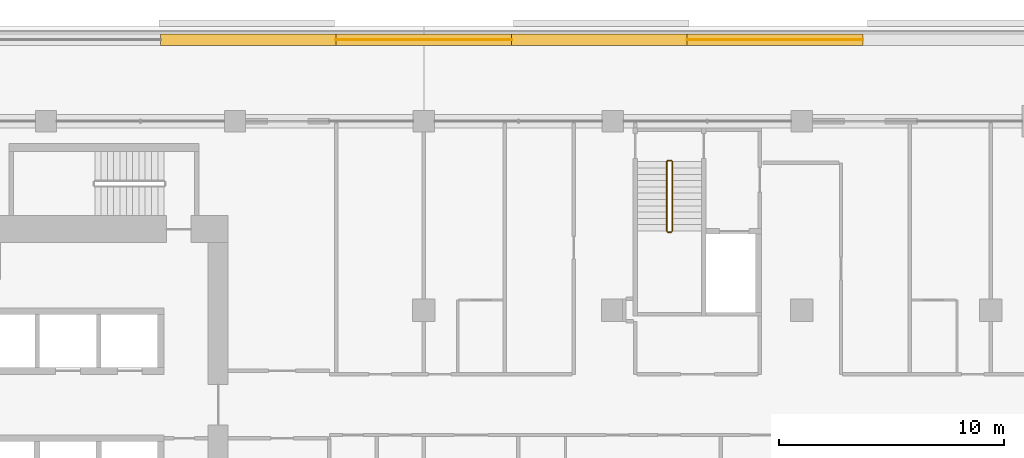
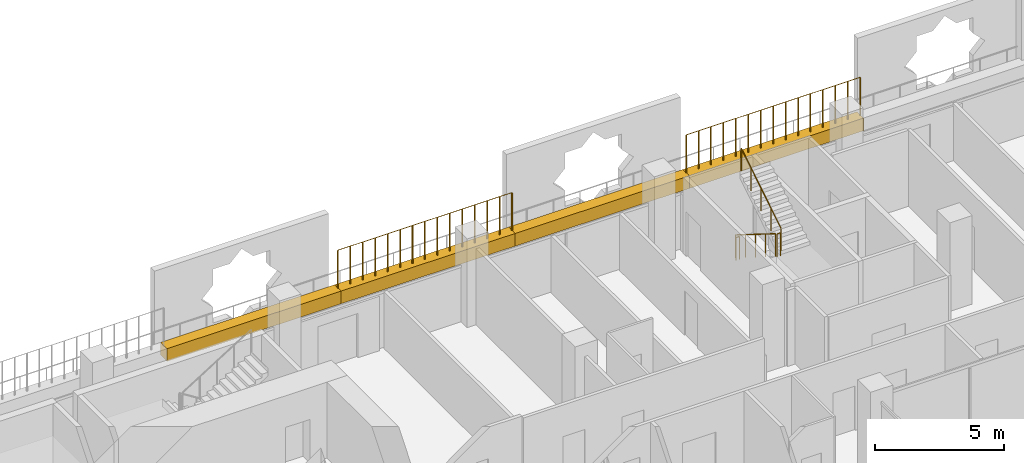
# One storey, part 23 of 24: 6 railings, 4 coverings.
"""IFC4 building model written with IfcOpenShell, lengths in metres."""

from ifc_helpers import new_model, si_unit, direction, frame, origin, origin_2d, place, context, subcontext, project, spatial, rectangle, circle, extrude, material, material_profile, profile_set, type_object, element, save


model = new_model("IFC4")

# Units and contexts
model_context = context("Model", 3, precision=1e-05, world=origin(), true_north=direction((0.0, 1.0)))
body_context = subcontext(model_context, "Body", "Model", "MODEL_VIEW")
ifc_project = project(units=[si_unit("LENGTHUNIT", "METRE"), si_unit("AREAUNIT", "SQUARE_METRE"), si_unit("VOLUMEUNIT", "CUBIC_METRE"), si_unit("PLANEANGLEUNIT", "RADIAN"), si_unit("MASSUNIT", "GRAM", prefix="KILO")], contexts=[model_context])

# Site, building, storey
site_placement = place(None, origin())
site = spatial("IfcSite", under=ifc_project, at=site_placement, CompositionType="ELEMENT")
building_placement = place(site_placement, origin())
building = spatial("IfcBuilding", under=site, at=building_placement, Name="Kawkab Arch Medical Tower", CompositionType="ELEMENT")
storey_placement = place(building_placement, frame((0.0, 0.0, 162.60009765625)))
storey = spatial("IfcBuildingStorey", under=building, at=storey_placement, Name="L37", CompositionType="ELEMENT", Elevation=162.60009765625)

# Coverings
ifc_material_1 = material(Name="Planting soil in a precast trough", Category="concrete")
ifc_material_profile = material_profile(ifc_material_1, rectangle(XDim=0.5, YDim=0.60009765625, at=origin_2d()), Name="Trough 500x600")
ifc_profile_set = profile_set([ifc_material_profile], Name="Planting soil in a precast trough")
covering_type = type_object("IfcCoveringType", Name="Planter trough 500 x 600", PredefinedType="USERDEFINED", material=ifc_profile_set)
covering_1_placement = place(storey_placement, frame((21.89306640625, 3.6201171875, 0.2998046875), z_axis=(1.0, 0.0, 0.0), x_axis=(0.0, 1.0, 0.0)))
element("IfcCovering", 1, at=covering_1_placement, inside=storey, type_object=covering_type, Name="Planter L37.LOG-01-02.22", ObjectType="PLANTER", PredefinedType="USERDEFINED", context=body_context, shape_type="SweptSolid", body=[
    extrude(rectangle(XDim=0.5, YDim=0.60009765625, at=origin_2d()), origin(), (0.0, 0.0, 1.0), 7.804931640625),
])
covering_2_placement = place(storey_placement, frame((29.697998046875, 3.6201171875, 0.2998046875), z_axis=(1.0, 0.0, 0.0), x_axis=(0.0, 1.0, 0.0)))
element("IfcCovering", 2, at=covering_2_placement, inside=storey, type_object=covering_type, Name="Planter L37.LOG-01-02.23", ObjectType="PLANTER", PredefinedType="USERDEFINED", context=body_context, shape_type="SweptSolid", body=[
    extrude(rectangle(XDim=0.5, YDim=0.60009765625, at=origin_2d()), origin(), (0.0, 0.0, 1.0), 7.803955078125),
])
covering_3_placement = place(storey_placement, frame((37.501953125, 3.6201171875, 0.2998046875), z_axis=(1.0, 0.0, 0.0), x_axis=(0.0, 1.0, 0.0)))
element("IfcCovering", 3, at=covering_3_placement, inside=storey, type_object=covering_type, Name="Planter L37.LOG-01-02.24", ObjectType="PLANTER", PredefinedType="USERDEFINED", context=body_context, shape_type="SweptSolid", body=[
    extrude(rectangle(XDim=0.5, YDim=0.60009765625, at=origin_2d()), origin(), (0.0, 0.0, 1.0), 7.804931640625),
])
covering_4_placement = place(storey_placement, frame((45.306884765625, 3.6201171875, 0.2998046875), z_axis=(1.0, 0.0, 0.0), x_axis=(0.0, 1.0, 0.0)))
element("IfcCovering", 4, at=covering_4_placement, inside=storey, type_object=covering_type, Name="Planter L37.LOG-01-02.25", ObjectType="PLANTER", PredefinedType="USERDEFINED", context=body_context, shape_type="SweptSolid", body=[
    extrude(rectangle(XDim=0.5, YDim=0.60009765625, at=origin_2d()), origin(), (0.0, 0.0, 1.0), 7.80517578125),
])

# Railings
ifc_material_2 = material(Name="Bronze anodised aluminium trellis for climbing plants", Category="aluminium")
railing_type_1 = type_object("IfcRailingType", Name="Planting trellis 2400", PredefinedType="USERDEFINED", material=ifc_material_2)
railing_1_placement = place(storey_placement, frame((29.697998046875, 3.6201171875, 0.0)))
element("IfcRailing", 5, at=railing_1_placement, inside=storey, type_object=railing_type_1, Name="Planting trellis L37.LOG-01-02.23", ObjectType="TRELLIS", PredefinedType="USERDEFINED", context=body_context, shape_type="SweptSolid", body=[
    extrude(circle(Radius=0.01513671875, at=origin_2d()), frame((0.0, 0.0, 2.384765625), z_axis=(1.0, 0.0, 0.0), x_axis=(0.0, 1.0, 0.0)), (0.0, 0.0, 1.0), 7.803955078125),
    extrude(circle(Radius=0.030029296875, at=origin_2d()), origin(), (0.0, 0.0, 1.0), 2.369873046875),
    extrude(circle(Radius=0.030029296875, at=origin_2d()), frame((0.557373046875, 0.0, 0.0)), (0.0, 0.0, 1.0), 2.369873046875),
    extrude(circle(Radius=0.030029296875, at=origin_2d()), frame((1.11474609375, 0.0, 0.0)), (0.0, 0.0, 1.0), 2.369873046875),
    extrude(circle(Radius=0.030029296875, at=origin_2d()), frame((1.67236328125, 0.0, 0.0)), (0.0, 0.0, 1.0), 2.369873046875),
    extrude(circle(Radius=0.030029296875, at=origin_2d()), frame((2.229736328125, 0.0, 0.0)), (0.0, 0.0, 1.0), 2.369873046875),
    extrude(circle(Radius=0.030029296875, at=origin_2d()), frame((2.787109375, 0.0, 0.0)), (0.0, 0.0, 1.0), 2.369873046875),
    extrude(circle(Radius=0.030029296875, at=origin_2d()), frame((3.344482421875, 0.0, 0.0)), (0.0, 0.0, 1.0), 2.369873046875),
    extrude(circle(Radius=0.030029296875, at=origin_2d()), frame((3.90185546875, 0.0, 0.0)), (0.0, 0.0, 1.0), 2.369873046875),
    extrude(circle(Radius=0.030029296875, at=origin_2d()), frame((4.45947265625, 0.0, 0.0)), (0.0, 0.0, 1.0), 2.369873046875),
    extrude(circle(Radius=0.030029296875, at=origin_2d()), frame((5.016845703125, 0.0, 0.0)), (0.0, 0.0, 1.0), 2.369873046875),
    extrude(circle(Radius=0.030029296875, at=origin_2d()), frame((5.57421875, 0.0, 0.0)), (0.0, 0.0, 1.0), 2.369873046875),
    extrude(circle(Radius=0.030029296875, at=origin_2d()), frame((6.131591796875, 0.0, 0.0)), (0.0, 0.0, 1.0), 2.369873046875),
    extrude(circle(Radius=0.030029296875, at=origin_2d()), frame((6.689208984375, 0.0, 0.0)), (0.0, 0.0, 1.0), 2.369873046875),
    extrude(circle(Radius=0.030029296875, at=origin_2d()), frame((7.24658203125, 0.0, 0.0)), (0.0, 0.0, 1.0), 2.369873046875),
    extrude(circle(Radius=0.030029296875, at=origin_2d()), frame((7.803955078125, 0.0, 0.0)), (0.0, 0.0, 1.0), 2.369873046875),
])
railing_2_placement = place(storey_placement, frame((45.306884765625, 3.6201171875, 0.0)))
element("IfcRailing", 6, at=railing_2_placement, inside=storey, type_object=railing_type_1, Name="Planting trellis L37.LOG-01-02.25", ObjectType="TRELLIS", PredefinedType="USERDEFINED", context=body_context, shape_type="SweptSolid", body=[
    extrude(circle(Radius=0.01513671875, at=origin_2d()), frame((0.0, 0.0, 2.384765625), z_axis=(1.0, 0.0, 0.0), x_axis=(0.0, 1.0, 0.0)), (0.0, 0.0, 1.0), 7.80517578125),
    extrude(circle(Radius=0.030029296875, at=origin_2d()), origin(), (0.0, 0.0, 1.0), 2.369873046875),
    extrude(circle(Radius=0.030029296875, at=origin_2d()), frame((0.5576171875, 0.0, 0.0)), (0.0, 0.0, 1.0), 2.369873046875),
    extrude(circle(Radius=0.030029296875, at=origin_2d()), frame((1.114990234375, 0.0, 0.0)), (0.0, 0.0, 1.0), 2.369873046875),
    extrude(circle(Radius=0.030029296875, at=origin_2d()), frame((1.672607421875, 0.0, 0.0)), (0.0, 0.0, 1.0), 2.369873046875),
    extrude(circle(Radius=0.030029296875, at=origin_2d()), frame((2.22998046875, 0.0, 0.0)), (0.0, 0.0, 1.0), 2.369873046875),
    extrude(circle(Radius=0.030029296875, at=origin_2d()), frame((2.78759765625, 0.0, 0.0)), (0.0, 0.0, 1.0), 2.369873046875),
    extrude(circle(Radius=0.030029296875, at=origin_2d()), frame((3.344970703125, 0.0, 0.0)), (0.0, 0.0, 1.0), 2.369873046875),
    extrude(circle(Radius=0.030029296875, at=origin_2d()), frame((3.902587890625, 0.0, 0.0)), (0.0, 0.0, 1.0), 2.369873046875),
    extrude(circle(Radius=0.030029296875, at=origin_2d()), frame((4.460205078125, 0.0, 0.0)), (0.0, 0.0, 1.0), 2.369873046875),
    extrude(circle(Radius=0.030029296875, at=origin_2d()), frame((5.017578125, 0.0, 0.0)), (0.0, 0.0, 1.0), 2.369873046875),
    extrude(circle(Radius=0.030029296875, at=origin_2d()), frame((5.5751953125, 0.0, 0.0)), (0.0, 0.0, 1.0), 2.369873046875),
    extrude(circle(Radius=0.030029296875, at=origin_2d()), frame((6.132568359375, 0.0, 0.0)), (0.0, 0.0, 1.0), 2.369873046875),
    extrude(circle(Radius=0.030029296875, at=origin_2d()), frame((6.690185546875, 0.0, 0.0)), (0.0, 0.0, 1.0), 2.369873046875),
    extrude(circle(Radius=0.030029296875, at=origin_2d()), frame((7.24755859375, 0.0, 0.0)), (0.0, 0.0, 1.0), 2.369873046875),
    extrude(circle(Radius=0.030029296875, at=origin_2d()), frame((7.80517578125, 0.0, 0.0)), (0.0, 0.0, 1.0), 2.369873046875),
])
ifc_material_3 = material(Name="Stainless steel", Category="steel")
railing_type_2 = type_object("IfcRailingType", Name="Stair guard 1100", PredefinedType="GUARDRAIL", material=ifc_material_3)
railing_3_placement = place(storey_placement, frame((44.39990234375, -1.800048828125, 0.1748046875)))
element("IfcRailing", 7, at=railing_3_placement, inside=storey, type_object=railing_type_2, Name="L37 ST5 stair guard 1", PredefinedType="GUARDRAIL", context=body_context, shape_type="SweptSolid", body=[
    extrude(circle(Radius=0.02392578125, at=origin_2d()), frame((0.0, 0.0, 1.076171875), z_axis=(0.0, -0.847979421464, 0.530029150871), x_axis=(1.0, 0.0, 0.0)), (0.0, 0.0, 1.0), 3.632080078125),
    extrude(circle(Radius=0.02099609375, at=origin_2d()), origin(), (0.0, 0.0, 1.0), 1.052001953125),
    extrude(circle(Radius=0.02099609375, at=origin_2d()), frame((0.0, -0.77001953125, 0.481201171875)), (0.0, 0.0, 1.0), 1.052001953125),
    extrude(circle(Radius=0.02099609375, at=origin_2d()), frame((0.0, -1.5400390625, 0.96240234375)), (0.0, 0.0, 1.0), 1.052001953125),
    extrude(circle(Radius=0.02099609375, at=origin_2d()), frame((0.0, -2.309814453125, 1.44384765625)), (0.0, 0.0, 1.0), 1.052001953125),
    extrude(circle(Radius=0.02099609375, at=origin_2d()), frame((0.0, -3.079833984375, 1.925048828125)), (0.0, 0.0, 1.0), 1.052001953125),
])
railing_4_placement = place(storey_placement, frame((44.449951171875, -4.929931640625, 2.099853515625)))
element("IfcRailing", 8, at=railing_4_placement, inside=storey, type_object=railing_type_2, Name="L37 ST5 stair guard 2", PredefinedType="GUARDRAIL", context=body_context, shape_type="SweptSolid", body=[
    extrude(circle(Radius=0.02392578125, at=origin_2d()), frame((0.0, 0.0, 1.076171875), z_axis=(1.0, 0.0, 0.0), x_axis=(0.0, 1.0, 0.0)), (0.0, 0.0, 1.0), 0.150146484375),
    extrude(circle(Radius=0.02099609375, at=origin_2d()), origin(), (0.0, 0.0, 1.0), 1.052001953125),
    extrude(circle(Radius=0.02099609375, at=origin_2d()), frame((0.150146484375, 0.0, 0.0)), (0.0, 0.0, 1.0), 1.052001953125),
])
railing_5_placement = place(storey_placement, frame((44.64990234375, -4.8798828125, 2.27490234375)))
element("IfcRailing", 9, at=railing_5_placement, inside=storey, type_object=railing_type_2, Name="L37 ST5 stair guard 3", PredefinedType="GUARDRAIL", context=body_context, shape_type="SweptSolid", body=[
    extrude(circle(Radius=0.02392578125, at=origin_2d()), frame((0.0, 0.0, 1.076171875), z_axis=(0.0, 0.847979421464, 0.530029150871), x_axis=(-1.0, 0.0, 0.0)), (0.0, 0.0, 1.0), 3.632080078125),
    extrude(circle(Radius=0.02099609375, at=origin_2d()), origin(), (0.0, 0.0, 1.0), 1.052001953125),
    extrude(circle(Radius=0.02099609375, at=origin_2d()), frame((0.0, 0.77001953125, 0.481201171875)), (0.0, 0.0, 1.0), 1.052001953125),
    extrude(circle(Radius=0.02099609375, at=origin_2d()), frame((0.0, 1.5400390625, 0.96240234375)), (0.0, 0.0, 1.0), 1.052001953125),
    extrude(circle(Radius=0.02099609375, at=origin_2d()), frame((0.0, 2.309814453125, 1.44384765625)), (0.0, 0.0, 1.0), 1.052001953125),
    extrude(circle(Radius=0.02099609375, at=origin_2d()), frame((0.0, 3.079833984375, 1.925048828125)), (0.0, 0.0, 1.0), 1.052001953125),
])
railing_6_placement = place(storey_placement, frame((44.449951171875, -1.75, 0.0)))
element("IfcRailing", 10, at=railing_6_placement, inside=storey, type_object=railing_type_2, Name="L37 ST5 stair guard 4", PredefinedType="GUARDRAIL", context=body_context, shape_type="SweptSolid", body=[
    extrude(circle(Radius=0.02392578125, at=origin_2d()), frame((0.0, 0.0, 1.076171875), z_axis=(1.0, 0.0, 0.0), x_axis=(0.0, 1.0, 0.0)), (0.0, 0.0, 1.0), 0.150146484375),
    extrude(circle(Radius=0.02099609375, at=origin_2d()), origin(), (0.0, 0.0, 1.0), 1.052001953125),
    extrude(circle(Radius=0.02099609375, at=origin_2d()), frame((0.150146484375, 0.0, 0.0)), (0.0, 0.0, 1.0), 1.052001953125),
])

save(model, "model.ifc")
